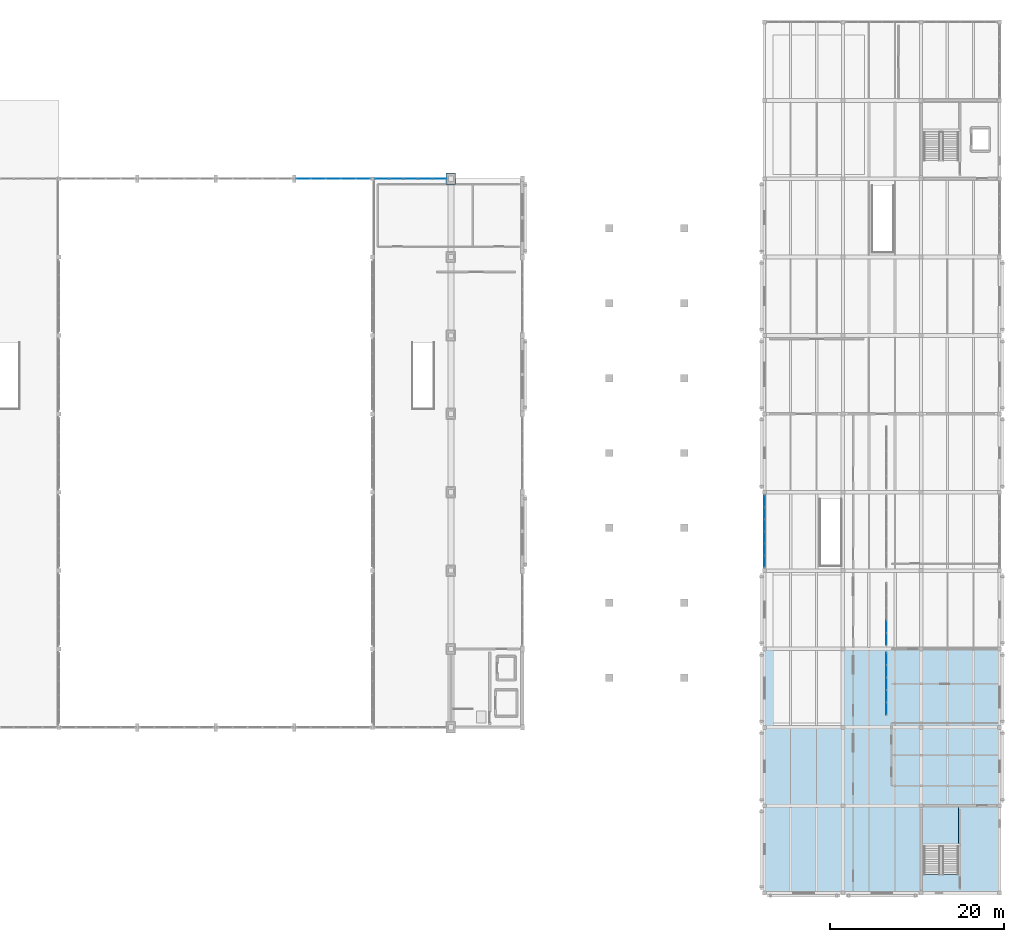
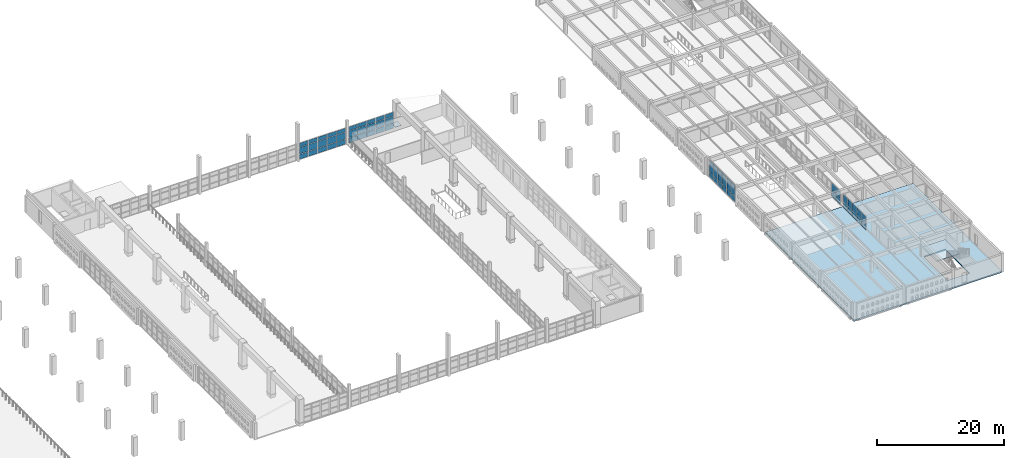
# One storey, part 62 of 80: 63 plates, 2 slabs, 6 elements without a shape of their own.
"""IFC4 building model written with IfcOpenShell, lengths in metres."""

from ifc_helpers import new_model, si_unit, direction, frame, origin, origin_2d, place, context, subcontext, project, spatial, polyline, rectangle, outline, extrude, material, layer, layer_set, type_object, element, aggregate, save


model = new_model("IFC4")

# Units and contexts
model_context = context("Model", 3, precision=1e-05, world=origin(), true_north=direction((0.0, 1.0)))
body_context = subcontext(model_context, "Body", "Model", "MODEL_VIEW")
ifc_project = project(units=[si_unit("LENGTHUNIT", "METRE"), si_unit("AREAUNIT", "SQUARE_METRE"), si_unit("VOLUMEUNIT", "CUBIC_METRE"), si_unit("PLANEANGLEUNIT", "RADIAN"), si_unit("MASSUNIT", "GRAM", prefix="KILO")], contexts=[model_context])

# Site, building, storey
site_placement = place(None, origin())
site = spatial("IfcSite", under=ifc_project, at=site_placement, CompositionType="ELEMENT")
building_placement = place(site_placement, origin())
building = spatial("IfcBuilding", under=site, at=building_placement, Name="Ornek Quay Market", CompositionType="ELEMENT")
storey_placement = place(building_placement, frame((0.0, 0.0, 8.39990234375)))
storey = spatial("IfcBuildingStorey", under=building, at=storey_placement, Name="L02", CompositionType="ELEMENT", Elevation=8.39990234375)

# Plate
ifc_material_1 = material(Name="Steel S355", Category="steel")
ifc_layer_1 = layer(ifc_material_1, 1.300048828125, Name="Steel S355", Category="steel")
ifc_layer_set_1 = layer_set([ifc_layer_1], Name="Steel S355")
plate_type_1 = type_object("IfcPlateType", Name="PL-ARCH-SHOE-1100x1300x50", PredefinedType="SHEET", material=ifc_layer_set_1)
plate_1_placement = place(storey_placement, frame((117.0, 92.0, 0.60009765625), z_axis=(0.0, 0.0, 1.0), x_axis=(1.0, 0.0, 0.0)))
element("IfcPlate", 1, at=plate_1_placement, inside=storey, type_object=plate_type_1, Name="Arch bearing plate Grid L-E", PredefinedType="SHEET", context=body_context, shape_type="SweptSolid", body=[
    extrude(rectangle(XDim=1.10009765625, YDim=1.300048828125, at=origin_2d()), origin(), (0.0, 0.0, 1.0), 0.050048828125),
])

# Curtain wall, plates
ifc_material_2 = material(Name="Anodised bronze aluminium and triple low-e glass", Category="aluminium")
ifc_layer_2 = layer(ifc_material_2, 0.139892578125, Name="Anodised bronze aluminium and triple low-e glass", Category="aluminium")
ifc_layer_set_2 = layer_set([ifc_layer_2], Name="Anodised bronze aluminium and triple low-e glass")
curtain_wall_type_1 = type_object("IfcCurtainWallType", Name="CW-GALLERY-INT", PredefinedType="USERDEFINED", material=ifc_layer_set_2)
curtain_wall_1_placement = place(storey_placement, origin())
curtain_wall_1 = element("IfcCurtainWall", 2, at=curtain_wall_1_placement, inside=storey, type_object=curtain_wall_type_1, Name="Curtain wall CW-167", ObjectType="CURTAIN WALL", PredefinedType="USERDEFINED")
ifc_material_3 = material(Name="Toughened laminated acoustic glass", Category="glass")
ifc_layer_3 = layer(ifc_material_3, 0.01611328125, Name="Toughened laminated acoustic glass", Category="glass")
ifc_layer_set_3 = layer_set([ifc_layer_3], Name="Toughened laminated acoustic glass")
plate_type_2 = type_object("IfcPlateType", Name="PL-CW-INT-16", PredefinedType="CURTAIN_PANEL", material=ifc_layer_set_3)
plate_2_placement = place(storey_placement, frame((167.0, 31.135009765625, 0.06005859375), z_axis=(0.0, 0.0, 1.0), x_axis=(0.0, 1.0, 0.0)))
plate_2 = element("IfcPlate", 3, at=plate_2_placement, type_object=plate_type_2, Name="CW-167 panel 1.1", PredefinedType="CURTAIN_PANEL", context=body_context, shape_type="SweptSolid", body=[
    extrude(rectangle(XDim=1.35009765625, YDim=0.01611328125, at=origin_2d()), origin(), (0.0, 0.0, 1.0), 1.1474609375),
])
plate_3_placement = place(storey_placement, frame((167.0, 31.135009765625, 1.267578125), z_axis=(0.0, 0.0, 1.0), x_axis=(0.0, 1.0, 0.0)))
plate_3 = element("IfcPlate", 4, at=plate_3_placement, type_object=plate_type_2, Name="CW-167 panel 1.2", PredefinedType="CURTAIN_PANEL", context=body_context, shape_type="SweptSolid", body=[
    extrude(rectangle(XDim=1.35009765625, YDim=0.01611328125, at=origin_2d()), origin(), (0.0, 0.0, 1.0), 1.422607421875),
])
plate_4_placement = place(storey_placement, frame((167.0, 32.56005859375, 0.06005859375), z_axis=(0.0, 0.0, 1.0), x_axis=(0.0, 1.0, 0.0)))
plate_4 = element("IfcPlate", 5, at=plate_4_placement, type_object=plate_type_2, Name="CW-167 panel 2.1", PredefinedType="CURTAIN_PANEL", context=body_context, shape_type="SweptSolid", body=[
    extrude(rectangle(XDim=1.3798828125, YDim=0.01611328125, at=origin_2d()), origin(), (0.0, 0.0, 1.0), 1.1474609375),
])
plate_5_placement = place(storey_placement, frame((167.0, 32.56005859375, 1.267578125), z_axis=(0.0, 0.0, 1.0), x_axis=(0.0, 1.0, 0.0)))
plate_5 = element("IfcPlate", 6, at=plate_5_placement, type_object=plate_type_2, Name="CW-167 panel 2.2", PredefinedType="CURTAIN_PANEL", context=body_context, shape_type="SweptSolid", body=[
    extrude(rectangle(XDim=1.3798828125, YDim=0.01611328125, at=origin_2d()), origin(), (0.0, 0.0, 1.0), 1.422607421875),
])
plate_6_placement = place(storey_placement, frame((167.0, 34.0, 0.06005859375), z_axis=(0.0, 0.0, 1.0), x_axis=(0.0, 1.0, 0.0)))
plate_6 = element("IfcPlate", 7, at=plate_6_placement, type_object=plate_type_2, Name="CW-167 panel 3.1", PredefinedType="CURTAIN_PANEL", context=body_context, shape_type="SweptSolid", body=[
    extrude(rectangle(XDim=1.3798828125, YDim=0.01611328125, at=origin_2d()), origin(), (0.0, 0.0, 1.0), 1.1474609375),
])
plate_7_placement = place(storey_placement, frame((167.0, 34.0, 1.267578125), z_axis=(0.0, 0.0, 1.0), x_axis=(0.0, 1.0, 0.0)))
plate_7 = element("IfcPlate", 8, at=plate_7_placement, type_object=plate_type_2, Name="CW-167 panel 3.2", PredefinedType="CURTAIN_PANEL", context=body_context, shape_type="SweptSolid", body=[
    extrude(rectangle(XDim=1.3798828125, YDim=0.01611328125, at=origin_2d()), origin(), (0.0, 0.0, 1.0), 1.422607421875),
])
plate_8_placement = place(storey_placement, frame((167.0, 35.43994140625, 0.06005859375), z_axis=(0.0, 0.0, 1.0), x_axis=(0.0, 1.0, 0.0)))
plate_8 = element("IfcPlate", 9, at=plate_8_placement, type_object=plate_type_2, Name="CW-167 panel 4.1", PredefinedType="CURTAIN_PANEL", context=body_context, shape_type="SweptSolid", body=[
    extrude(rectangle(XDim=1.3798828125, YDim=0.01611328125, at=origin_2d()), origin(), (0.0, 0.0, 1.0), 1.1474609375),
])
plate_9_placement = place(storey_placement, frame((167.0, 35.43994140625, 1.267578125), z_axis=(0.0, 0.0, 1.0), x_axis=(0.0, 1.0, 0.0)))
plate_9 = element("IfcPlate", 10, at=plate_9_placement, type_object=plate_type_2, Name="CW-167 panel 4.2", PredefinedType="CURTAIN_PANEL", context=body_context, shape_type="SweptSolid", body=[
    extrude(rectangle(XDim=1.3798828125, YDim=0.01611328125, at=origin_2d()), origin(), (0.0, 0.0, 1.0), 1.422607421875),
])
plate_10_placement = place(storey_placement, frame((167.0, 36.864990234375, 0.06005859375), z_axis=(0.0, 0.0, 1.0), x_axis=(0.0, 1.0, 0.0)))
plate_10 = element("IfcPlate", 11, at=plate_10_placement, type_object=plate_type_2, Name="CW-167 panel 5.1", PredefinedType="CURTAIN_PANEL", context=body_context, shape_type="SweptSolid", body=[
    extrude(rectangle(XDim=1.35009765625, YDim=0.01611328125, at=origin_2d()), origin(), (0.0, 0.0, 1.0), 1.1474609375),
])
plate_11_placement = place(storey_placement, frame((167.0, 36.864990234375, 1.267578125), z_axis=(0.0, 0.0, 1.0), x_axis=(0.0, 1.0, 0.0)))
plate_11 = element("IfcPlate", 12, at=plate_11_placement, type_object=plate_type_2, Name="CW-167 panel 5.2", PredefinedType="CURTAIN_PANEL", context=body_context, shape_type="SweptSolid", body=[
    extrude(rectangle(XDim=1.35009765625, YDim=0.01611328125, at=origin_2d()), origin(), (0.0, 0.0, 1.0), 1.422607421875),
])
aggregate(curtain_wall_1, [plate_2, plate_3, plate_4, plate_5, plate_6, plate_7, plate_8, plate_9, plate_10, plate_11])

curtain_wall_2_placement = place(storey_placement, origin())
curtain_wall_2 = element("IfcCurtainWall", 13, at=curtain_wall_2_placement, inside=storey, type_object=curtain_wall_type_1, Name="Curtain wall CW-168", ObjectType="CURTAIN WALL", PredefinedType="USERDEFINED")
plate_12_placement = place(storey_placement, frame((167.0, 39.135009765625, 0.06005859375), z_axis=(0.0, 0.0, 1.0), x_axis=(0.0, 1.0, 0.0)))
plate_12 = element("IfcPlate", 14, at=plate_12_placement, type_object=plate_type_2, Name="CW-168 panel 1.1", PredefinedType="CURTAIN_PANEL", context=body_context, shape_type="SweptSolid", body=[
    extrude(rectangle(XDim=1.35009765625, YDim=0.01611328125, at=origin_2d()), origin(), (0.0, 0.0, 1.0), 1.1474609375),
])
plate_13_placement = place(storey_placement, frame((167.0, 39.135009765625, 1.267578125), z_axis=(0.0, 0.0, 1.0), x_axis=(0.0, 1.0, 0.0)))
plate_13 = element("IfcPlate", 15, at=plate_13_placement, type_object=plate_type_2, Name="CW-168 panel 1.2", PredefinedType="CURTAIN_PANEL", context=body_context, shape_type="SweptSolid", body=[
    extrude(rectangle(XDim=1.35009765625, YDim=0.01611328125, at=origin_2d()), origin(), (0.0, 0.0, 1.0), 1.422607421875),
])
plate_14_placement = place(storey_placement, frame((167.0, 40.56005859375, 0.06005859375), z_axis=(0.0, 0.0, 1.0), x_axis=(0.0, 1.0, 0.0)))
plate_14 = element("IfcPlate", 16, at=plate_14_placement, type_object=plate_type_2, Name="CW-168 panel 2.1", PredefinedType="CURTAIN_PANEL", context=body_context, shape_type="SweptSolid", body=[
    extrude(rectangle(XDim=1.3798828125, YDim=0.01611328125, at=origin_2d()), origin(), (0.0, 0.0, 1.0), 1.1474609375),
])
plate_15_placement = place(storey_placement, frame((167.0, 40.56005859375, 1.267578125), z_axis=(0.0, 0.0, 1.0), x_axis=(0.0, 1.0, 0.0)))
plate_15 = element("IfcPlate", 17, at=plate_15_placement, type_object=plate_type_2, Name="CW-168 panel 2.2", PredefinedType="CURTAIN_PANEL", context=body_context, shape_type="SweptSolid", body=[
    extrude(rectangle(XDim=1.3798828125, YDim=0.01611328125, at=origin_2d()), origin(), (0.0, 0.0, 1.0), 1.422607421875),
])
aggregate(curtain_wall_2, [plate_12, plate_13, plate_14, plate_15])

ifc_layer_4 = layer(ifc_material_2, 0.18994140625, Name="Anodised bronze aluminium and triple low-e glass", Category="aluminium")
ifc_layer_set_4 = layer_set([ifc_layer_4], Name="Anodised bronze aluminium and triple low-e glass")
curtain_wall_type_2 = type_object("IfcCurtainWallType", Name="CW-FC-MOD1500", PredefinedType="USERDEFINED", material=ifc_layer_set_4)
curtain_wall_3_placement = place(storey_placement, origin())
curtain_wall_3 = element("IfcCurtainWall", 18, at=curtain_wall_3_placement, inside=storey, type_object=curtain_wall_type_2, Name="Curtain wall CW-093", ObjectType="CURTAIN WALL", PredefinedType="USERDEFINED")
ifc_material_4 = material(Name="Triple insulated low-e glass", Category="glass")
ifc_layer_5 = layer(ifc_material_4, 0.035888671875, Name="Triple insulated low-e glass", Category="glass")
ifc_layer_set_5 = layer_set([ifc_layer_5], Name="Triple insulated low-e glass")
plate_type_3 = type_object("IfcPlateType", Name="PL-CW-TRIPLE-36", PredefinedType="CURTAIN_PANEL", material=ifc_layer_set_5)
plate_16_placement = place(storey_placement, frame((153.0, 48.05908203125, 0.06494140625), z_axis=(0.0, 0.0, 1.0), x_axis=(0.0, 1.0, 0.0)))
plate_16 = element("IfcPlate", 19, at=plate_16_placement, type_object=plate_type_3, Name="CW-093 panel 1.1", PredefinedType="CURTAIN_PANEL", context=body_context, shape_type="SweptSolid", body=[
    extrude(rectangle(XDim=1.2783203125, YDim=0.035888671875, at=origin_2d()), origin(), (0.0, 0.0, 1.0), 0.952392578125),
])
plate_17_placement = place(storey_placement, frame((153.0, 48.05908203125, 1.08251953125), z_axis=(0.0, 0.0, 1.0), x_axis=(0.0, 1.0, 0.0)))
plate_17 = element("IfcPlate", 20, at=plate_17_placement, type_object=plate_type_3, Name="CW-093 panel 1.2", PredefinedType="CURTAIN_PANEL", context=body_context, shape_type="SweptSolid", body=[
    extrude(rectangle(XDim=1.2783203125, YDim=0.035888671875, at=origin_2d()), origin(), (0.0, 0.0, 1.0), 1.385009765625),
])
plate_18_placement = place(storey_placement, frame((153.0, 48.05908203125, 2.53271484375), z_axis=(0.0, 0.0, 1.0), x_axis=(0.0, 1.0, 0.0)))
plate_18 = element("IfcPlate", 21, at=plate_18_placement, type_object=plate_type_3, Name="CW-093 panel 1.3", PredefinedType="CURTAIN_PANEL", context=body_context, shape_type="SweptSolid", body=[
    extrude(rectangle(XDim=1.2783203125, YDim=0.035888671875, at=origin_2d()), origin(), (0.0, 0.0, 1.0), 0.75244140625),
])
plate_19_placement = place(storey_placement, frame((153.0, 49.425048828125, 0.06494140625), z_axis=(0.0, 0.0, 1.0), x_axis=(0.0, 1.0, 0.0)))
plate_19 = element("IfcPlate", 22, at=plate_19_placement, type_object=plate_type_3, Name="CW-093 panel 2.1", PredefinedType="CURTAIN_PANEL", context=body_context, shape_type="SweptSolid", body=[
    extrude(rectangle(XDim=1.313232421875, YDim=0.035888671875, at=origin_2d()), origin(), (0.0, 0.0, 1.0), 0.952392578125),
])
plate_20_placement = place(storey_placement, frame((153.0, 49.425048828125, 1.08251953125), z_axis=(0.0, 0.0, 1.0), x_axis=(0.0, 1.0, 0.0)))
plate_20 = element("IfcPlate", 23, at=plate_20_placement, type_object=plate_type_3, Name="CW-093 panel 2.2", PredefinedType="CURTAIN_PANEL", context=body_context, shape_type="SweptSolid", body=[
    extrude(rectangle(XDim=1.313232421875, YDim=0.035888671875, at=origin_2d()), origin(), (0.0, 0.0, 1.0), 1.385009765625),
])
plate_21_placement = place(storey_placement, frame((153.0, 49.425048828125, 2.53271484375), z_axis=(0.0, 0.0, 1.0), x_axis=(0.0, 1.0, 0.0)))
plate_21 = element("IfcPlate", 24, at=plate_21_placement, type_object=plate_type_3, Name="CW-093 panel 2.3", PredefinedType="CURTAIN_PANEL", context=body_context, shape_type="SweptSolid", body=[
    extrude(rectangle(XDim=1.313232421875, YDim=0.035888671875, at=origin_2d()), origin(), (0.0, 0.0, 1.0), 0.75244140625),
])
plate_22_placement = place(storey_placement, frame((153.0, 50.808349609375, 0.06494140625), z_axis=(0.0, 0.0, 1.0), x_axis=(0.0, 1.0, 0.0)))
plate_22 = element("IfcPlate", 25, at=plate_22_placement, type_object=plate_type_3, Name="CW-093 panel 3.1", PredefinedType="CURTAIN_PANEL", context=body_context, shape_type="SweptSolid", body=[
    extrude(rectangle(XDim=1.313232421875, YDim=0.035888671875, at=origin_2d()), origin(), (0.0, 0.0, 1.0), 0.952392578125),
])
plate_23_placement = place(storey_placement, frame((153.0, 50.808349609375, 1.08251953125), z_axis=(0.0, 0.0, 1.0), x_axis=(0.0, 1.0, 0.0)))
plate_23 = element("IfcPlate", 26, at=plate_23_placement, type_object=plate_type_3, Name="CW-093 panel 3.2", PredefinedType="CURTAIN_PANEL", context=body_context, shape_type="SweptSolid", body=[
    extrude(rectangle(XDim=1.313232421875, YDim=0.035888671875, at=origin_2d()), origin(), (0.0, 0.0, 1.0), 1.385009765625),
])
plate_24_placement = place(storey_placement, frame((153.0, 50.808349609375, 2.53271484375), z_axis=(0.0, 0.0, 1.0), x_axis=(0.0, 1.0, 0.0)))
plate_24 = element("IfcPlate", 27, at=plate_24_placement, type_object=plate_type_3, Name="CW-093 panel 3.3", PredefinedType="CURTAIN_PANEL", context=body_context, shape_type="SweptSolid", body=[
    extrude(rectangle(XDim=1.313232421875, YDim=0.035888671875, at=origin_2d()), origin(), (0.0, 0.0, 1.0), 0.75244140625),
])
plate_25_placement = place(storey_placement, frame((153.0, 52.191650390625, 0.06494140625), z_axis=(0.0, 0.0, 1.0), x_axis=(0.0, 1.0, 0.0)))
plate_25 = element("IfcPlate", 28, at=plate_25_placement, type_object=plate_type_3, Name="CW-093 panel 4.1", PredefinedType="CURTAIN_PANEL", context=body_context, shape_type="SweptSolid", body=[
    extrude(rectangle(XDim=1.313232421875, YDim=0.035888671875, at=origin_2d()), origin(), (0.0, 0.0, 1.0), 0.952392578125),
])
plate_26_placement = place(storey_placement, frame((153.0, 52.191650390625, 1.08251953125), z_axis=(0.0, 0.0, 1.0), x_axis=(0.0, 1.0, 0.0)))
plate_26 = element("IfcPlate", 29, at=plate_26_placement, type_object=plate_type_3, Name="CW-093 panel 4.2", PredefinedType="CURTAIN_PANEL", context=body_context, shape_type="SweptSolid", body=[
    extrude(rectangle(XDim=1.313232421875, YDim=0.035888671875, at=origin_2d()), origin(), (0.0, 0.0, 1.0), 1.385009765625),
])
plate_27_placement = place(storey_placement, frame((153.0, 52.191650390625, 2.53271484375), z_axis=(0.0, 0.0, 1.0), x_axis=(0.0, 1.0, 0.0)))
plate_27 = element("IfcPlate", 30, at=plate_27_placement, type_object=plate_type_3, Name="CW-093 panel 4.3", PredefinedType="CURTAIN_PANEL", context=body_context, shape_type="SweptSolid", body=[
    extrude(rectangle(XDim=1.313232421875, YDim=0.035888671875, at=origin_2d()), origin(), (0.0, 0.0, 1.0), 0.75244140625),
])
plate_28_placement = place(storey_placement, frame((153.0, 53.574951171875, 0.06494140625), z_axis=(0.0, 0.0, 1.0), x_axis=(0.0, 1.0, 0.0)))
plate_28 = element("IfcPlate", 31, at=plate_28_placement, type_object=plate_type_3, Name="CW-093 panel 5.1", PredefinedType="CURTAIN_PANEL", context=body_context, shape_type="SweptSolid", body=[
    extrude(rectangle(XDim=1.313232421875, YDim=0.035888671875, at=origin_2d()), origin(), (0.0, 0.0, 1.0), 0.952392578125),
])
plate_29_placement = place(storey_placement, frame((153.0, 53.574951171875, 1.08251953125), z_axis=(0.0, 0.0, 1.0), x_axis=(0.0, 1.0, 0.0)))
plate_29 = element("IfcPlate", 32, at=plate_29_placement, type_object=plate_type_3, Name="CW-093 panel 5.2", PredefinedType="CURTAIN_PANEL", context=body_context, shape_type="SweptSolid", body=[
    extrude(rectangle(XDim=1.313232421875, YDim=0.035888671875, at=origin_2d()), origin(), (0.0, 0.0, 1.0), 1.385009765625),
])
plate_30_placement = place(storey_placement, frame((153.0, 53.574951171875, 2.53271484375), z_axis=(0.0, 0.0, 1.0), x_axis=(0.0, 1.0, 0.0)))
plate_30 = element("IfcPlate", 33, at=plate_30_placement, type_object=plate_type_3, Name="CW-093 panel 5.3", PredefinedType="CURTAIN_PANEL", context=body_context, shape_type="SweptSolid", body=[
    extrude(rectangle(XDim=1.313232421875, YDim=0.035888671875, at=origin_2d()), origin(), (0.0, 0.0, 1.0), 0.75244140625),
])
plate_31_placement = place(storey_placement, frame((153.0, 54.94091796875, 0.06494140625), z_axis=(0.0, 0.0, 1.0), x_axis=(0.0, 1.0, 0.0)))
plate_31 = element("IfcPlate", 34, at=plate_31_placement, type_object=plate_type_3, Name="CW-093 panel 6.1", PredefinedType="CURTAIN_PANEL", context=body_context, shape_type="SweptSolid", body=[
    extrude(rectangle(XDim=1.2783203125, YDim=0.035888671875, at=origin_2d()), origin(), (0.0, 0.0, 1.0), 0.952392578125),
])
plate_32_placement = place(storey_placement, frame((153.0, 54.94091796875, 1.08251953125), z_axis=(0.0, 0.0, 1.0), x_axis=(0.0, 1.0, 0.0)))
plate_32 = element("IfcPlate", 35, at=plate_32_placement, type_object=plate_type_3, Name="CW-093 panel 6.2", PredefinedType="CURTAIN_PANEL", context=body_context, shape_type="SweptSolid", body=[
    extrude(rectangle(XDim=1.2783203125, YDim=0.035888671875, at=origin_2d()), origin(), (0.0, 0.0, 1.0), 1.385009765625),
])
plate_33_placement = place(storey_placement, frame((153.0, 54.94091796875, 2.53271484375), z_axis=(0.0, 0.0, 1.0), x_axis=(0.0, 1.0, 0.0)))
plate_33 = element("IfcPlate", 36, at=plate_33_placement, type_object=plate_type_3, Name="CW-093 panel 6.3", PredefinedType="CURTAIN_PANEL", context=body_context, shape_type="SweptSolid", body=[
    extrude(rectangle(XDim=1.2783203125, YDim=0.035888671875, at=origin_2d()), origin(), (0.0, 0.0, 1.0), 0.75244140625),
])
aggregate(curtain_wall_3, [plate_16, plate_17, plate_18, plate_19, plate_20, plate_21, plate_22, plate_23, plate_24, plate_25, plate_26, plate_27, plate_28, plate_29, plate_30, plate_31, plate_32, plate_33])

ifc_layer_6 = layer(ifc_material_2, 0.239990234375, Name="Anodised bronze aluminium and triple low-e glass", Category="aluminium")
ifc_layer_set_6 = layer_set([ifc_layer_6], Name="Anodised bronze aluminium and triple low-e glass")
curtain_wall_type_3 = type_object("IfcCurtainWallType", Name="CW-GAB-MOD1800", PredefinedType="USERDEFINED", material=ifc_layer_set_6)
curtain_wall_4_placement = place(storey_placement, origin())
curtain_wall_4 = element("IfcCurtainWall", 37, at=curtain_wall_4_placement, inside=storey, type_object=curtain_wall_type_3, Name="Curtain wall CW-076", ObjectType="CURTAIN WALL", PredefinedType="USERDEFINED")
ifc_layer_7 = layer(ifc_material_4, 0.0419921875, Name="Triple insulated low-e glass", Category="glass")
ifc_layer_set_7 = layer_set([ifc_layer_7], Name="Triple insulated low-e glass")
plate_type_4 = type_object("IfcPlateType", Name="PL-CW-TRIPLE-42", PredefinedType="CURTAIN_PANEL", material=ifc_layer_set_7)
plate_34_placement = place(storey_placement, frame((100.0859375, 92.0, 0.0751953125), z_axis=(0.0, 0.0, 1.0), x_axis=(1.0, 0.0, 0.0)))
plate_34 = element("IfcPlate", 38, at=plate_34_placement, type_object=plate_type_4, Name="CW-076 panel 1.1", PredefinedType="CURTAIN_PANEL", context=body_context, shape_type="SweptSolid", body=[
    extrude(rectangle(XDim=1.592041015625, YDim=0.0419921875, at=origin_2d()), origin(), (0.0, 0.0, 1.0), 0.9375),
])
plate_35_placement = place(storey_placement, frame((100.0859375, 92.0, 1.087646484375), z_axis=(0.0, 0.0, 1.0), x_axis=(1.0, 0.0, 0.0)))
plate_35 = element("IfcPlate", 39, at=plate_35_placement, type_object=plate_type_4, Name="CW-076 panel 1.2", PredefinedType="CURTAIN_PANEL", context=body_context, shape_type="SweptSolid", body=[
    extrude(rectangle(XDim=1.592041015625, YDim=0.0419921875, at=origin_2d()), origin(), (0.0, 0.0, 1.0), 1.27490234375),
])
plate_36_placement = place(storey_placement, frame((100.0859375, 92.0, 2.4375), z_axis=(0.0, 0.0, 1.0), x_axis=(1.0, 0.0, 0.0)))
plate_36 = element("IfcPlate", 40, at=plate_36_placement, type_object=plate_type_4, Name="CW-076 panel 1.3", PredefinedType="CURTAIN_PANEL", context=body_context, shape_type="SweptSolid", body=[
    extrude(rectangle(XDim=1.592041015625, YDim=0.0419921875, at=origin_2d()), origin(), (0.0, 0.0, 1.0), 0.737548828125),
])
plate_37_placement = place(storey_placement, frame((101.778076171875, 92.0, 0.0751953125), z_axis=(0.0, 0.0, 1.0), x_axis=(1.0, 0.0, 0.0)))
plate_37 = element("IfcPlate", 41, at=plate_37_placement, type_object=plate_type_4, Name="CW-076 panel 2.1", PredefinedType="CURTAIN_PANEL", context=body_context, shape_type="SweptSolid", body=[
    extrude(rectangle(XDim=1.632080078125, YDim=0.0419921875, at=origin_2d()), origin(), (0.0, 0.0, 1.0), 0.9375),
])
plate_38_placement = place(storey_placement, frame((101.778076171875, 92.0, 1.087646484375), z_axis=(0.0, 0.0, 1.0), x_axis=(1.0, 0.0, 0.0)))
plate_38 = element("IfcPlate", 42, at=plate_38_placement, type_object=plate_type_4, Name="CW-076 panel 2.2", PredefinedType="CURTAIN_PANEL", context=body_context, shape_type="SweptSolid", body=[
    extrude(rectangle(XDim=1.632080078125, YDim=0.0419921875, at=origin_2d()), origin(), (0.0, 0.0, 1.0), 1.27490234375),
])
plate_39_placement = place(storey_placement, frame((101.778076171875, 92.0, 2.4375), z_axis=(0.0, 0.0, 1.0), x_axis=(1.0, 0.0, 0.0)))
plate_39 = element("IfcPlate", 43, at=plate_39_placement, type_object=plate_type_4, Name="CW-076 panel 2.3", PredefinedType="CURTAIN_PANEL", context=body_context, shape_type="SweptSolid", body=[
    extrude(rectangle(XDim=1.632080078125, YDim=0.0419921875, at=origin_2d()), origin(), (0.0, 0.0, 1.0), 0.737548828125),
])
plate_40_placement = place(storey_placement, frame((103.489990234375, 92.0, 0.0751953125), z_axis=(0.0, 0.0, 1.0), x_axis=(1.0, 0.0, 0.0)))
plate_40 = element("IfcPlate", 44, at=plate_40_placement, type_object=plate_type_4, Name="CW-076 panel 3.1", PredefinedType="CURTAIN_PANEL", context=body_context, shape_type="SweptSolid", body=[
    extrude(rectangle(XDim=1.632080078125, YDim=0.0419921875, at=origin_2d()), origin(), (0.0, 0.0, 1.0), 0.9375),
])
plate_41_placement = place(storey_placement, frame((103.489990234375, 92.0, 1.087646484375), z_axis=(0.0, 0.0, 1.0), x_axis=(1.0, 0.0, 0.0)))
plate_41 = element("IfcPlate", 45, at=plate_41_placement, type_object=plate_type_4, Name="CW-076 panel 3.2", PredefinedType="CURTAIN_PANEL", context=body_context, shape_type="SweptSolid", body=[
    extrude(rectangle(XDim=1.632080078125, YDim=0.0419921875, at=origin_2d()), origin(), (0.0, 0.0, 1.0), 1.27490234375),
])
plate_42_placement = place(storey_placement, frame((103.489990234375, 92.0, 2.4375), z_axis=(0.0, 0.0, 1.0), x_axis=(1.0, 0.0, 0.0)))
plate_42 = element("IfcPlate", 46, at=plate_42_placement, type_object=plate_type_4, Name="CW-076 panel 3.3", PredefinedType="CURTAIN_PANEL", context=body_context, shape_type="SweptSolid", body=[
    extrude(rectangle(XDim=1.632080078125, YDim=0.0419921875, at=origin_2d()), origin(), (0.0, 0.0, 1.0), 0.737548828125),
])
plate_43_placement = place(storey_placement, frame((105.201904296875, 92.0, 0.0751953125), z_axis=(0.0, 0.0, 1.0), x_axis=(1.0, 0.0, 0.0)))
plate_43 = element("IfcPlate", 47, at=plate_43_placement, type_object=plate_type_4, Name="CW-076 panel 4.1", PredefinedType="CURTAIN_PANEL", context=body_context, shape_type="SweptSolid", body=[
    extrude(rectangle(XDim=1.632080078125, YDim=0.0419921875, at=origin_2d()), origin(), (0.0, 0.0, 1.0), 0.9375),
])
plate_44_placement = place(storey_placement, frame((105.201904296875, 92.0, 1.087646484375), z_axis=(0.0, 0.0, 1.0), x_axis=(1.0, 0.0, 0.0)))
plate_44 = element("IfcPlate", 48, at=plate_44_placement, type_object=plate_type_4, Name="CW-076 panel 4.2", PredefinedType="CURTAIN_PANEL", context=body_context, shape_type="SweptSolid", body=[
    extrude(rectangle(XDim=1.632080078125, YDim=0.0419921875, at=origin_2d()), origin(), (0.0, 0.0, 1.0), 1.27490234375),
])
plate_45_placement = place(storey_placement, frame((105.201904296875, 92.0, 2.4375), z_axis=(0.0, 0.0, 1.0), x_axis=(1.0, 0.0, 0.0)))
plate_45 = element("IfcPlate", 49, at=plate_45_placement, type_object=plate_type_4, Name="CW-076 panel 4.3", PredefinedType="CURTAIN_PANEL", context=body_context, shape_type="SweptSolid", body=[
    extrude(rectangle(XDim=1.632080078125, YDim=0.0419921875, at=origin_2d()), origin(), (0.0, 0.0, 1.0), 0.737548828125),
])
plate_46_placement = place(storey_placement, frame((106.89404296875, 92.0, 0.0751953125), z_axis=(0.0, 0.0, 1.0), x_axis=(1.0, 0.0, 0.0)))
plate_46 = element("IfcPlate", 50, at=plate_46_placement, type_object=plate_type_4, Name="CW-076 panel 5.1", PredefinedType="CURTAIN_PANEL", context=body_context, shape_type="SweptSolid", body=[
    extrude(rectangle(XDim=1.592041015625, YDim=0.0419921875, at=origin_2d()), origin(), (0.0, 0.0, 1.0), 0.9375),
])
plate_47_placement = place(storey_placement, frame((106.89404296875, 92.0, 1.087646484375), z_axis=(0.0, 0.0, 1.0), x_axis=(1.0, 0.0, 0.0)))
plate_47 = element("IfcPlate", 51, at=plate_47_placement, type_object=plate_type_4, Name="CW-076 panel 5.2", PredefinedType="CURTAIN_PANEL", context=body_context, shape_type="SweptSolid", body=[
    extrude(rectangle(XDim=1.592041015625, YDim=0.0419921875, at=origin_2d()), origin(), (0.0, 0.0, 1.0), 1.27490234375),
])
plate_48_placement = place(storey_placement, frame((106.89404296875, 92.0, 2.4375), z_axis=(0.0, 0.0, 1.0), x_axis=(1.0, 0.0, 0.0)))
plate_48 = element("IfcPlate", 52, at=plate_48_placement, type_object=plate_type_4, Name="CW-076 panel 5.3", PredefinedType="CURTAIN_PANEL", context=body_context, shape_type="SweptSolid", body=[
    extrude(rectangle(XDim=1.592041015625, YDim=0.0419921875, at=origin_2d()), origin(), (0.0, 0.0, 1.0), 0.737548828125),
])
aggregate(curtain_wall_4, [plate_34, plate_35, plate_36, plate_37, plate_38, plate_39, plate_40, plate_41, plate_42, plate_43, plate_44, plate_45, plate_46, plate_47, plate_48])

curtain_wall_5_placement = place(storey_placement, origin())
curtain_wall_5 = element("IfcCurtainWall", 53, at=curtain_wall_5_placement, inside=storey, type_object=curtain_wall_type_3, Name="Curtain wall CW-078", ObjectType="CURTAIN WALL", PredefinedType="USERDEFINED")
plate_49_placement = place(storey_placement, frame((109.0810546875, 92.0, 0.0751953125), z_axis=(0.0, 0.0, 1.0), x_axis=(1.0, 0.0, 0.0)))
plate_49 = element("IfcPlate", 54, at=plate_49_placement, type_object=plate_type_4, Name="CW-078 panel 1.1", PredefinedType="CURTAIN_PANEL", context=body_context, shape_type="SweptSolid", body=[
    extrude(rectangle(XDim=1.5419921875, YDim=0.0419921875, at=origin_2d()), origin(), (0.0, 0.0, 1.0), 0.9375),
])
plate_50_placement = place(storey_placement, frame((109.0810546875, 92.0, 1.087646484375), z_axis=(0.0, 0.0, 1.0), x_axis=(1.0, 0.0, 0.0)))
plate_50 = element("IfcPlate", 55, at=plate_50_placement, type_object=plate_type_4, Name="CW-078 panel 1.2", PredefinedType="CURTAIN_PANEL", context=body_context, shape_type="SweptSolid", body=[
    extrude(rectangle(XDim=1.5419921875, YDim=0.0419921875, at=origin_2d()), origin(), (0.0, 0.0, 1.0), 1.27490234375),
])
plate_51_placement = place(storey_placement, frame((109.0810546875, 92.0, 2.4375), z_axis=(0.0, 0.0, 1.0), x_axis=(1.0, 0.0, 0.0)))
plate_51 = element("IfcPlate", 56, at=plate_51_placement, type_object=plate_type_4, Name="CW-078 panel 1.3", PredefinedType="CURTAIN_PANEL", context=body_context, shape_type="SweptSolid", body=[
    extrude(rectangle(XDim=1.5419921875, YDim=0.0419921875, at=origin_2d()), origin(), (0.0, 0.0, 1.0), 0.737548828125),
])
plate_52_placement = place(storey_placement, frame((110.722900390625, 92.0, 0.0751953125), z_axis=(0.0, 0.0, 1.0), x_axis=(1.0, 0.0, 0.0)))
plate_52 = element("IfcPlate", 57, at=plate_52_placement, type_object=plate_type_4, Name="CW-078 panel 2.1", PredefinedType="CURTAIN_PANEL", context=body_context, shape_type="SweptSolid", body=[
    extrude(rectangle(XDim=1.58203125, YDim=0.0419921875, at=origin_2d()), origin(), (0.0, 0.0, 1.0), 0.9375),
])
plate_53_placement = place(storey_placement, frame((110.722900390625, 92.0, 1.087646484375), z_axis=(0.0, 0.0, 1.0), x_axis=(1.0, 0.0, 0.0)))
plate_53 = element("IfcPlate", 58, at=plate_53_placement, type_object=plate_type_4, Name="CW-078 panel 2.2", PredefinedType="CURTAIN_PANEL", context=body_context, shape_type="SweptSolid", body=[
    extrude(rectangle(XDim=1.58203125, YDim=0.0419921875, at=origin_2d()), origin(), (0.0, 0.0, 1.0), 1.27490234375),
])
plate_54_placement = place(storey_placement, frame((110.722900390625, 92.0, 2.4375), z_axis=(0.0, 0.0, 1.0), x_axis=(1.0, 0.0, 0.0)))
plate_54 = element("IfcPlate", 59, at=plate_54_placement, type_object=plate_type_4, Name="CW-078 panel 2.3", PredefinedType="CURTAIN_PANEL", context=body_context, shape_type="SweptSolid", body=[
    extrude(rectangle(XDim=1.58203125, YDim=0.0419921875, at=origin_2d()), origin(), (0.0, 0.0, 1.0), 0.737548828125),
])
plate_55_placement = place(storey_placement, frame((112.385009765625, 92.0, 0.0751953125), z_axis=(0.0, 0.0, 1.0), x_axis=(1.0, 0.0, 0.0)))
plate_55 = element("IfcPlate", 60, at=plate_55_placement, type_object=plate_type_4, Name="CW-078 panel 3.1", PredefinedType="CURTAIN_PANEL", context=body_context, shape_type="SweptSolid", body=[
    extrude(rectangle(XDim=1.58203125, YDim=0.0419921875, at=origin_2d()), origin(), (0.0, 0.0, 1.0), 0.9375),
])
plate_56_placement = place(storey_placement, frame((112.385009765625, 92.0, 1.087646484375), z_axis=(0.0, 0.0, 1.0), x_axis=(1.0, 0.0, 0.0)))
plate_56 = element("IfcPlate", 61, at=plate_56_placement, type_object=plate_type_4, Name="CW-078 panel 3.2", PredefinedType="CURTAIN_PANEL", context=body_context, shape_type="SweptSolid", body=[
    extrude(rectangle(XDim=1.58203125, YDim=0.0419921875, at=origin_2d()), origin(), (0.0, 0.0, 1.0), 1.27490234375),
])
plate_57_placement = place(storey_placement, frame((112.385009765625, 92.0, 2.4375), z_axis=(0.0, 0.0, 1.0), x_axis=(1.0, 0.0, 0.0)))
plate_57 = element("IfcPlate", 62, at=plate_57_placement, type_object=plate_type_4, Name="CW-078 panel 3.3", PredefinedType="CURTAIN_PANEL", context=body_context, shape_type="SweptSolid", body=[
    extrude(rectangle(XDim=1.58203125, YDim=0.0419921875, at=origin_2d()), origin(), (0.0, 0.0, 1.0), 0.737548828125),
])
plate_58_placement = place(storey_placement, frame((114.047119140625, 92.0, 0.0751953125), z_axis=(0.0, 0.0, 1.0), x_axis=(1.0, 0.0, 0.0)))
plate_58 = element("IfcPlate", 63, at=plate_58_placement, type_object=plate_type_4, Name="CW-078 panel 4.1", PredefinedType="CURTAIN_PANEL", context=body_context, shape_type="SweptSolid", body=[
    extrude(rectangle(XDim=1.58203125, YDim=0.0419921875, at=origin_2d()), origin(), (0.0, 0.0, 1.0), 0.9375),
])
plate_59_placement = place(storey_placement, frame((114.047119140625, 92.0, 1.087646484375), z_axis=(0.0, 0.0, 1.0), x_axis=(1.0, 0.0, 0.0)))
plate_59 = element("IfcPlate", 64, at=plate_59_placement, type_object=plate_type_4, Name="CW-078 panel 4.2", PredefinedType="CURTAIN_PANEL", context=body_context, shape_type="SweptSolid", body=[
    extrude(rectangle(XDim=1.58203125, YDim=0.0419921875, at=origin_2d()), origin(), (0.0, 0.0, 1.0), 1.27490234375),
])
plate_60_placement = place(storey_placement, frame((114.047119140625, 92.0, 2.4375), z_axis=(0.0, 0.0, 1.0), x_axis=(1.0, 0.0, 0.0)))
plate_60 = element("IfcPlate", 65, at=plate_60_placement, type_object=plate_type_4, Name="CW-078 panel 4.3", PredefinedType="CURTAIN_PANEL", context=body_context, shape_type="SweptSolid", body=[
    extrude(rectangle(XDim=1.58203125, YDim=0.0419921875, at=origin_2d()), origin(), (0.0, 0.0, 1.0), 0.737548828125),
])
plate_61_placement = place(storey_placement, frame((115.68896484375, 92.0, 0.0751953125), z_axis=(0.0, 0.0, 1.0), x_axis=(1.0, 0.0, 0.0)))
plate_61 = element("IfcPlate", 66, at=plate_61_placement, type_object=plate_type_4, Name="CW-078 panel 5.1", PredefinedType="CURTAIN_PANEL", context=body_context, shape_type="SweptSolid", body=[
    extrude(rectangle(XDim=1.5419921875, YDim=0.0419921875, at=origin_2d()), origin(), (0.0, 0.0, 1.0), 0.9375),
])
plate_62_placement = place(storey_placement, frame((115.68896484375, 92.0, 1.087646484375), z_axis=(0.0, 0.0, 1.0), x_axis=(1.0, 0.0, 0.0)))
plate_62 = element("IfcPlate", 67, at=plate_62_placement, type_object=plate_type_4, Name="CW-078 panel 5.2", PredefinedType="CURTAIN_PANEL", context=body_context, shape_type="SweptSolid", body=[
    extrude(rectangle(XDim=1.5419921875, YDim=0.0419921875, at=origin_2d()), origin(), (0.0, 0.0, 1.0), 1.27490234375),
])
plate_63_placement = place(storey_placement, frame((115.68896484375, 92.0, 2.4375), z_axis=(0.0, 0.0, 1.0), x_axis=(1.0, 0.0, 0.0)))
plate_63 = element("IfcPlate", 68, at=plate_63_placement, type_object=plate_type_4, Name="CW-078 panel 5.3", PredefinedType="CURTAIN_PANEL", context=body_context, shape_type="SweptSolid", body=[
    extrude(rectangle(XDim=1.5419921875, YDim=0.0419921875, at=origin_2d()), origin(), (0.0, 0.0, 1.0), 0.737548828125),
])
aggregate(curtain_wall_5, [plate_49, plate_50, plate_51, plate_52, plate_53, plate_54, plate_55, plate_56, plate_57, plate_58, plate_59, plate_60, plate_61, plate_62, plate_63])

# Slab
ifc_material_5 = material(Name="Concrete C35/45", Category="concrete")
ifc_layer_8 = layer(ifc_material_5, 0.25, Name="Concrete C35/45", Category="concrete")
ifc_layer_set_8 = layer_set([ifc_layer_8], Name="Concrete C35/45")
slab_type_1 = type_object("IfcSlabType", Name="SL-FLR-CS-250", PredefinedType="FLOOR", material=ifc_layer_set_8)
slab_1_placement = place(storey_placement, frame((0.0, 0.0, -0.25)))
element("IfcSlab", 69, at=slab_1_placement, inside=storey, type_object=slab_type_1, Name="Slab S-060 (L02)", PredefinedType="FLOOR", context=body_context, shape_type="SweptSolid", body=[
    extrude(outline(polyline([(153.0, 10.0), (180.0, 10.0), (180.0, 38.0), (153.0, 38.0), (153.0, 10.0)]), holes=[polyline([(171.300048828125, 19.699951171875), (175.300048828125, 19.699951171875), (175.300048828125, 12.10009765625), (171.300048828125, 12.10009765625), (171.300048828125, 19.699951171875)])]), origin(), (0.0, 0.0, 1.0), 0.25),
])

# Stair, slab
ifc_material_6 = material(Name="Precast concrete C40/50", Category="concrete")
stair_type = type_object("IfcStairType", Name="ST-CORE-L02-L03", PredefinedType="HALF_TURN_STAIR", material=ifc_material_6)
stair_placement = place(storey_placement, origin())
stair = element("IfcStair", 70, at=stair_placement, inside=storey, type_object=stair_type, Name="Core stair ST-06-L02 (L02 to L03)", PredefinedType="HALF_TURN_STAIR")
ifc_layer_9 = layer(ifc_material_6, 0.1650390625, Name="Precast concrete C40/50", Category="concrete")
ifc_layer_set_9 = layer_set([ifc_layer_9], Name="Precast concrete C40/50")
slab_type_2 = type_object("IfcSlabType", Name="SL-LND-165", PredefinedType="LANDING", material=ifc_layer_set_9)
slab_2_placement = place(storey_placement, frame((0.0, 0.0, 1.635009765625)))
slab_2 = element("IfcSlab", 71, at=slab_2_placement, type_object=slab_type_2, Name="ST-06-L02 landing 1", PredefinedType="LANDING", context=body_context, shape_type="SweptSolid", body=[
    extrude(outline(polyline([(171.159912109375, 15.342041015625), (175.300048828125, 15.342041015625), (175.300048828125, 19.840087890625), (171.159912109375, 19.840087890625), (171.159912109375, 15.342041015625)])), origin(), (0.0, 0.0, 1.0), 0.1650390625),
])
aggregate(stair, [slab_2])

save(model, "model.ifc")
